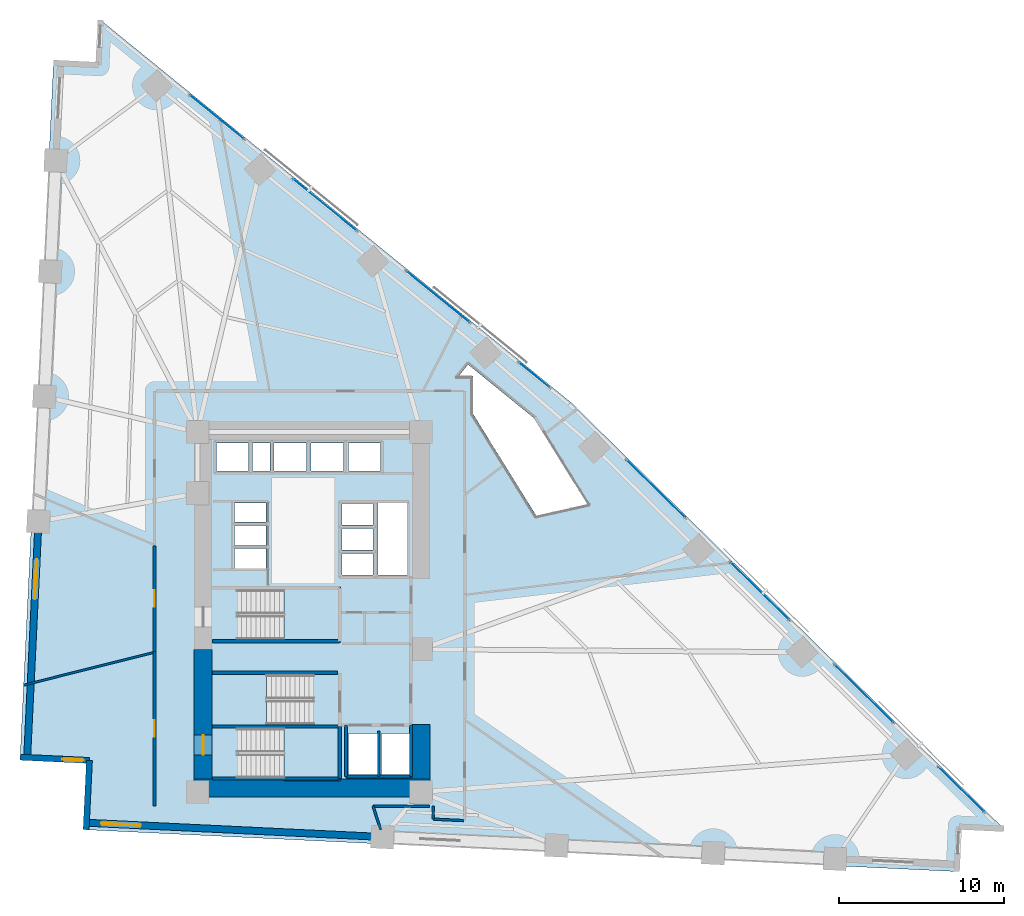
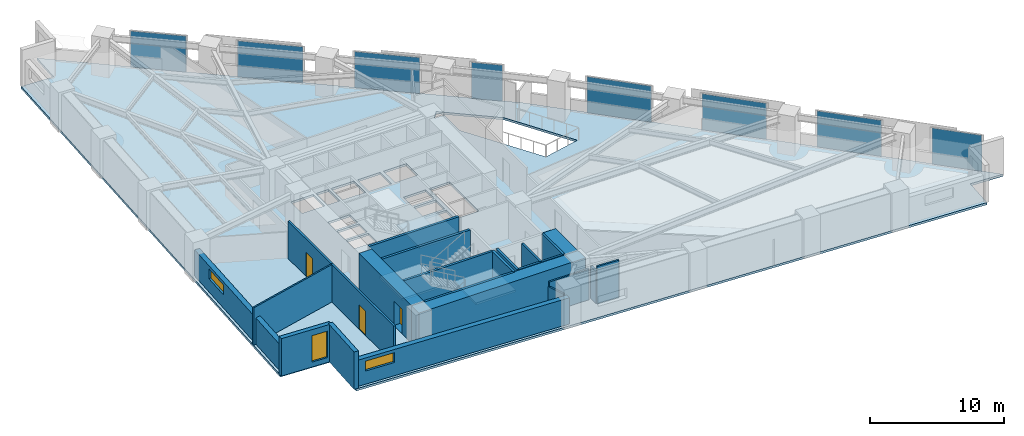
# One storey, part 12 of 17: 23 walls, 8 plates, 4 slabs, 3 doors, 3 windows, 6 openings, 11 elements without a shape of their own.
"""IFC4 building model written with IfcOpenShell, lengths in metres."""

from ifc_helpers import new_model, si_unit, direction, frame, frame_2d, origin, origin_2d, place, context, subcontext, project, spatial, polyline, rectangle, outline, extrude, material, layer, layer_set, type_object, element, fill, aggregate, save


model = new_model("IFC4")

# Units and contexts
model_context = context("Model", 3, precision=1e-05, world=origin(), true_north=direction((0.0, 1.0)))
body_context = subcontext(model_context, "Body", "Model", "MODEL_VIEW")
ifc_project = project(units=[si_unit("LENGTHUNIT", "METRE"), si_unit("AREAUNIT", "SQUARE_METRE"), si_unit("VOLUMEUNIT", "CUBIC_METRE"), si_unit("PLANEANGLEUNIT", "RADIAN"), si_unit("MASSUNIT", "GRAM", prefix="KILO")], contexts=[model_context])

# Site, building, storey
site_placement = place(None, origin())
site = spatial("IfcSite", under=ifc_project, at=site_placement, CompositionType="ELEMENT")
building_placement = place(site_placement, origin())
building = spatial("IfcBuilding", under=site, at=building_placement, Name="Narakoshi Arena Tower", CompositionType="ELEMENT")
storey_placement = place(building_placement, frame((0.0, 0.0, 30.300048828125)))
storey = spatial("IfcBuildingStorey", under=building, at=storey_placement, Name="L07", CompositionType="ELEMENT", Elevation=30.300048828125)

# Curtain wall, plate
ifc_material_1 = material(Name="Anodised bronze aluminium 6063-T6", Category="aluminium")
curtain_wall_type = type_object("IfcCurtainWallType", Name="CW-HYP-LOW", PredefinedType="NOTDEFINED", material=ifc_material_1)
curtain_wall_1_placement = place(storey_placement, origin())
curtain_wall_1 = element("IfcCurtainWall", 1, at=curtain_wall_1_placement, inside=storey, type_object=curtain_wall_type, Name="L07 Folded Hypotenuse Curtain Wall 1-1", PredefinedType="NOTDEFINED")
ifc_material_2 = material(Name="Bronze-tinted low-E laminated glass", Category="glass")
ifc_layer_1 = layer(ifc_material_2, 0.031982421875)
ifc_layer_set_1 = layer_set([ifc_layer_1], Name="Bronze-tinted low-E laminated glass")
plate_type = type_object("IfcPlateType", Name="PLT-GLZ-32", PredefinedType="CURTAIN_PANEL", material=ifc_layer_set_1)
plate_1_placement = place(storey_placement, frame((118.277587890625, 34.8505859375, 0.06494140625), z_axis=(0.0, 0.0, 1.0), x_axis=(-0.712541277695, 0.701630192894, 0.0)))
plate_1 = element("IfcPlate", 2, at=plate_1_placement, type_object=plate_type, Name="CW-01 panel 1.1", PredefinedType="CURTAIN_PANEL", context=body_context, shape_type="SweptSolid", body=[
    extrude(rectangle(XDim=3.85498046875, YDim=0.031982421875, at=origin_2d()), origin(), (0.0, 0.0, 1.0), 3.27001953125),
])
aggregate(curtain_wall_1, [plate_1])

curtain_wall_2_placement = place(storey_placement, origin())
curtain_wall_2 = element("IfcCurtainWall", 3, at=curtain_wall_2_placement, inside=storey, type_object=curtain_wall_type, Name="L07 Folded Hypotenuse Curtain Wall 1-2", PredefinedType="NOTDEFINED")
plate_2_placement = place(storey_placement, frame((112.375, 40.66259765625, 0.06494140625), z_axis=(0.0, 0.0, 1.0), x_axis=(-0.712548329451, 0.701623031404, 0.0)))
plate_2 = element("IfcPlate", 4, at=plate_2_placement, type_object=plate_type, Name="CW-01 panel 1.1", PredefinedType="CURTAIN_PANEL", context=body_context, shape_type="SweptSolid", body=[
    extrude(rectangle(XDim=4.966552734375, YDim=0.031982421875, at=origin_2d()), origin(), (0.0, 0.0, 1.0), 3.27001953125),
])
aggregate(curtain_wall_2, [plate_2])

curtain_wall_3_placement = place(storey_placement, origin())
curtain_wall_3 = element("IfcCurtainWall", 5, at=curtain_wall_3_placement, inside=storey, type_object=curtain_wall_type, Name="L07 Folded Hypotenuse Curtain Wall 1-3", PredefinedType="NOTDEFINED")
plate_3_placement = place(storey_placement, frame((106.07666015625, 46.864501953125, 0.06494140625), z_axis=(0.0, 0.0, 1.0), x_axis=(-0.712538708053, 0.701632802488, 0.0)))
plate_3 = element("IfcPlate", 6, at=plate_3_placement, type_object=plate_type, Name="CW-01 panel 1.1", PredefinedType="CURTAIN_PANEL", context=body_context, shape_type="SweptSolid", body=[
    extrude(rectangle(XDim=4.966552734375, YDim=0.031982421875, at=origin_2d()), origin(), (0.0, 0.0, 1.0), 3.27001953125),
])
aggregate(curtain_wall_3, [plate_3])

curtain_wall_4_placement = place(storey_placement, origin())
curtain_wall_4 = element("IfcCurtainWall", 7, at=curtain_wall_4_placement, inside=storey, type_object=curtain_wall_type, Name="L07 Folded Hypotenuse Curtain Wall 1-4", PredefinedType="NOTDEFINED")
plate_4_placement = place(storey_placement, frame((99.7783203125, 53.06640625, 0.06494140625), z_axis=(0.0, 0.0, 1.0), x_axis=(-0.712538708053, 0.701632802488, 0.0)))
plate_4 = element("IfcPlate", 8, at=plate_4_placement, type_object=plate_type, Name="CW-01 panel 1.1", PredefinedType="CURTAIN_PANEL", context=body_context, shape_type="SweptSolid", body=[
    extrude(rectangle(XDim=4.966552734375, YDim=0.031982421875, at=origin_2d()), origin(), (0.0, 0.0, 1.0), 3.27001953125),
])
aggregate(curtain_wall_4, [plate_4])

curtain_wall_5_placement = place(storey_placement, origin())
curtain_wall_5 = element("IfcCurtainWall", 9, at=curtain_wall_5_placement, inside=storey, type_object=curtain_wall_type, Name="L07 Folded Hypotenuse Curtain Wall 2-1", PredefinedType="NOTDEFINED")
plate_5_placement = place(storey_placement, frame((92.40087890625, 59.964111328125, 0.06494140625), z_axis=(0.0, 0.0, 1.0), x_axis=(-0.776007918256, 0.63072316495, 0.0)))
plate_5 = element("IfcPlate", 10, at=plate_5_placement, type_object=plate_type, Name="CW-01 panel 1.1", PredefinedType="CURTAIN_PANEL", context=body_context, shape_type="SweptSolid", body=[
    extrude(rectangle(XDim=2.35888671875, YDim=0.031982421875, at=origin_2d()), origin(), (0.0, 0.0, 1.0), 3.27001953125),
])
aggregate(curtain_wall_5, [plate_5])

curtain_wall_6_placement = place(storey_placement, origin())
curtain_wall_6 = element("IfcCurtainWall", 11, at=curtain_wall_6_placement, inside=storey, type_object=curtain_wall_type, Name="L07 Folded Hypotenuse Curtain Wall 2-2", PredefinedType="NOTDEFINED")
plate_6_placement = place(storey_placement, frame((86.566650390625, 64.7060546875, 0.06494140625), z_axis=(0.0, 0.0, 1.0), x_axis=(-0.775998434519, 0.630734833051, 0.0)))
plate_6 = element("IfcPlate", 12, at=plate_6_placement, type_object=plate_type, Name="CW-01 panel 1.1", PredefinedType="CURTAIN_PANEL", context=body_context, shape_type="SweptSolid", body=[
    extrude(rectangle(XDim=4.932373046875, YDim=0.031982421875, at=origin_2d()), origin(), (0.0, 0.0, 1.0), 3.27001953125),
])
aggregate(curtain_wall_6, [plate_6])

curtain_wall_7_placement = place(storey_placement, origin())
curtain_wall_7 = element("IfcCurtainWall", 13, at=curtain_wall_7_placement, inside=storey, type_object=curtain_wall_type, Name="L07 Folded Hypotenuse Curtain Wall 2-3", PredefinedType="NOTDEFINED")
plate_7_placement = place(storey_placement, frame((79.73388671875, 70.259765625, 0.06494140625), z_axis=(0.0, 0.0, 1.0), x_axis=(-0.776008064665, 0.630722984816, 0.0)))
plate_7 = element("IfcPlate", 14, at=plate_7_placement, type_object=plate_type, Name="CW-01 panel 1.1", PredefinedType="CURTAIN_PANEL", context=body_context, shape_type="SweptSolid", body=[
    extrude(rectangle(XDim=4.932373046875, YDim=0.031982421875, at=origin_2d()), origin(), (0.0, 0.0, 1.0), 3.27001953125),
])
aggregate(curtain_wall_7, [plate_7])

curtain_wall_8_placement = place(storey_placement, origin())
curtain_wall_8 = element("IfcCurtainWall", 15, at=curtain_wall_8_placement, inside=storey, type_object=curtain_wall_type, Name="L07 Folded Hypotenuse Curtain Wall 2-4", PredefinedType="NOTDEFINED")
plate_8_placement = place(storey_placement, frame((73.18603515625, 75.58203125, 0.06494140625), z_axis=(0.0, 0.0, 1.0), x_axis=(-0.775999332044, 0.630733728817, 0.0)))
plate_8 = element("IfcPlate", 16, at=plate_8_placement, type_object=plate_type, Name="CW-01 panel 1.1", PredefinedType="CURTAIN_PANEL", context=body_context, shape_type="SweptSolid", body=[
    extrude(rectangle(XDim=4.198486328125, YDim=0.031982421875, at=origin_2d()), origin(), (0.0, 0.0, 1.0), 3.27001953125),
])
aggregate(curtain_wall_8, [plate_8])

# Stair, slab
ifc_material_3 = material(Name="Concrete C45/55", Category="concrete")
stair_type = type_object("IfcStairType", Name="STR-CORE-360", PredefinedType="TWO_STRAIGHT_RUN_STAIR", material=ifc_material_3)
stair_1_placement = place(storey_placement, origin())
stair_1 = element("IfcStair", 17, at=stair_1_placement, inside=storey, type_object=stair_type, Name="L07 Core Escape Stair ST1", PredefinedType="TWO_STRAIGHT_RUN_STAIR")
ifc_layer_2 = layer(ifc_material_3, 0.18994140625)
ifc_layer_set_2 = layer_set([ifc_layer_2], Name="Concrete C45/55")
slab_type_1 = type_object("IfcSlabType", Name="SLB-LND-190", PredefinedType="LANDING", material=ifc_layer_set_2)
slab_1_placement = place(storey_placement, frame((0.0, 0.0, 1.60986328125)))
slab_1 = element("IfcSlab", 18, at=slab_1_placement, type_object=slab_type_1, Name="ST1 landing 1", PredefinedType="LANDING", context=body_context, shape_type="SweptSolid", body=[
    extrude(outline(polyline([(77.25, 35.3701171875), (80.679931640625, 35.3701171875), (80.679931640625, 38.72998046875), (77.25, 38.72998046875), (77.25, 35.3701171875)])), origin(), (0.0, 0.0, 1.0), 0.190185546875),
])
aggregate(stair_1, [slab_1])

stair_2_placement = place(storey_placement, origin())
stair_2 = element("IfcStair", 19, at=stair_2_placement, inside=storey, type_object=stair_type, Name="L07 Core Escape Stair ST2", PredefinedType="TWO_STRAIGHT_RUN_STAIR")
slab_2_placement = place(storey_placement, frame((0.0, 0.0, 1.60986328125)))
slab_2 = element("IfcSlab", 20, at=slab_2_placement, type_object=slab_type_1, Name="ST2 landing 1", PredefinedType="LANDING", context=body_context, shape_type="SweptSolid", body=[
    extrude(outline(polyline([(72.77001953125, 38.6201171875), (76.199951171875, 38.6201171875), (76.199951171875, 41.97998046875), (72.77001953125, 41.97998046875), (72.77001953125, 38.6201171875)])), origin(), (0.0, 0.0, 1.0), 0.190185546875),
])
aggregate(stair_2, [slab_2])

stair_3_placement = place(storey_placement, origin())
stair_3 = element("IfcStair", 21, at=stair_3_placement, inside=storey, type_object=stair_type, Name="L07 Core Escape Stair ST3", PredefinedType="TWO_STRAIGHT_RUN_STAIR")
slab_3_placement = place(storey_placement, frame((0.0, 0.0, 1.60986328125)))
slab_3 = element("IfcSlab", 22, at=slab_3_placement, type_object=slab_type_1, Name="ST3 landing 1", PredefinedType="LANDING", context=body_context, shape_type="SweptSolid", body=[
    extrude(outline(polyline([(77.25, 43.77001953125), (80.679931640625, 43.77001953125), (80.679931640625, 47.1298828125), (77.25, 47.1298828125), (77.25, 43.77001953125)])), origin(), (0.0, 0.0, 1.0), 0.190185546875),
])
aggregate(stair_3, [slab_3])

# Slab
ifc_layer_3 = layer(ifc_material_3, 0.199951171875)
ifc_layer_set_3 = layer_set([ifc_layer_3], Name="Concrete C45/55")
slab_type_2 = type_object("IfcSlabType", Name="SLB-TWR-200", PredefinedType="FLOOR", material=ifc_layer_set_3)
slab_4_placement = place(storey_placement, frame((0.0, 0.0, -0.199951171875)))
element("IfcSlab", 23, at=slab_4_placement, inside=storey, type_object=slab_type_2, Name="L07 Structural Floor Slab", PredefinedType="FLOOR", context=body_context, shape_type="SweptSolid", body=[
    extrude(outline(polyline([(65.26025390625, 32.416015625), (117.99951171875, 29.8828125), (118.130615234375, 32.609619140625), (120.857421875, 32.478515625), (94.614013671875, 58.31982421875), (66.144287109375, 81.4599609375), (66.013427734375, 78.733154296875), (63.28662109375, 78.8642578125), (61.2666015625, 36.8125), (65.4619140625, 36.611083984375), (65.26025390625, 32.416015625)]), holes=[polyline([(74.47998046875, 35.550048828125), (74.47998046875, 38.550048828125), (80.5, 38.550048828125), (80.5, 35.550048828125), (74.47998046875, 35.550048828125)]), polyline([(81.14990234375, 35.75), (81.14990234375, 38.25), (82.89990234375, 38.25), (82.89990234375, 35.75), (81.14990234375, 35.75)]), polyline([(83.14990234375, 35.75), (83.14990234375, 38.25), (84.89990234375, 38.25), (84.89990234375, 35.75), (83.14990234375, 35.75)]), polyline([(72.949951171875, 38.800048828125), (72.949951171875, 41.800048828125), (78.969970703125, 41.800048828125), (78.969970703125, 38.800048828125), (72.949951171875, 38.800048828125)]), polyline([(74.47998046875, 43.949951171875), (74.47998046875, 46.949951171875), (80.5, 46.949951171875), (80.5, 43.949951171875), (74.47998046875, 43.949951171875)]), polyline([(82.949951171875, 47.840087890625), (82.949951171875, 52.199951171875), (84.699951171875, 52.199951171875), (84.699951171875, 47.840087890625), (82.949951171875, 47.840087890625)]), polyline([(80.75, 47.85009765625), (80.75, 49.14990234375), (82.64990234375, 49.14990234375), (82.64990234375, 47.85009765625), (80.75, 47.85009765625)]), polyline([(74.25, 48.25), (74.25, 49.449951171875), (76.14990234375, 49.449951171875), (76.14990234375, 48.25), (74.25, 48.25)]), polyline([(80.75, 49.3701171875), (80.75, 50.669921875), (82.64990234375, 50.669921875), (82.64990234375, 49.3701171875), (80.75, 49.3701171875)]), polyline([(74.25, 49.64990234375), (74.25, 50.85009765625), (76.14990234375, 50.85009765625), (76.14990234375, 49.64990234375), (74.25, 49.64990234375)]), polyline([(80.75, 50.889892578125), (80.75, 52.18994140625), (82.64990234375, 52.18994140625), (82.64990234375, 50.889892578125), (80.75, 50.889892578125)]), polyline([(74.25, 51.050048828125), (74.25, 52.2099609375), (76.14990234375, 52.2099609375), (76.14990234375, 51.050048828125), (74.25, 51.050048828125)]), polyline([(95.6357421875, 52.126708984375), (92.53662109375, 51.4306640625), (88.699951171875, 57.60693359375), (88.699951171875, 59.89990234375), (87.83251953125, 59.89990234375), (88.399169921875, 60.600830078125), (92.3837890625, 57.3623046875), (95.6357421875, 52.126708984375)]), polyline([(73.14990234375, 54.14990234375), (73.14990234375, 55.85009765625), (75.10009765625, 55.85009765625), (75.10009765625, 54.14990234375), (73.14990234375, 54.14990234375)]), polyline([(75.35009765625, 55.85009765625), (76.39990234375, 55.85009765625), (76.39990234375, 54.14990234375), (75.35009765625, 54.14990234375), (75.35009765625, 55.85009765625)]), polyline([(76.64990234375, 55.85009765625), (78.60009765625, 55.85009765625), (78.60009765625, 54.14990234375), (76.64990234375, 54.14990234375), (76.64990234375, 55.85009765625)]), polyline([(78.89990234375, 54.14990234375), (78.89990234375, 55.85009765625), (80.85009765625, 55.85009765625), (80.85009765625, 54.14990234375), (78.89990234375, 54.14990234375)]), polyline([(81.14990234375, 55.85009765625), (83.10009765625, 55.85009765625), (83.10009765625, 54.14990234375), (81.14990234375, 54.14990234375), (81.14990234375, 55.85009765625)])]), origin(), (0.0, 0.0, 1.0), 0.199951171875),
])

# Wall, opening, door
ifc_material_4 = material(Name="Concrete C60/75", Category="concrete")
ifc_layer_4 = layer(ifc_material_4, 1.10009765625)
ifc_layer_set_4 = layer_set([ifc_layer_4], Name="Concrete C60/75")
wall_type_1 = type_object("IfcWallType", Name="WL-CORE-1100", PredefinedType="SHEAR", material=ifc_layer_set_4)
wall_1_placement = place(storey_placement, frame((72.35009765625, 35.5, -0.199951171875), z_axis=(0.0, 0.0, 1.0), x_axis=(0.0, 1.0, 0.0)))
wall_1 = element("IfcWall", 24, at=wall_1_placement, inside=storey, type_object=wall_type_1, Name="L07 Central Core Shear Wall CW-APX-W", PredefinedType="SHEAR", context=body_context, shape_type="SweptSolid", body=[
    extrude(rectangle(XDim=7.85009765625, YDim=1.10009765625, at=frame_2d((3.925048828125, 0.0))), origin(), (0.0, 0.0, 1.0), 3.599853515625),
])
opening_1_placement = place(wall_1_placement, frame((1.449951171875, 0.0, 0.199951171875)))
opening_1 = element("IfcOpeningElement", 25, at=opening_1_placement, cuts=wall_1, Name="Opening D-03", PredefinedType="OPENING", context=body_context, shape_type="SweptSolid", body=[
    extrude(rectangle(XDim=1.199951171875, YDim=2.199951171875, at=frame_2d((0.60009765625, 1.10009765625))), frame((0.0, 0.56005859375, 0.0), z_axis=(0.0, -1.0, 0.0), x_axis=(1.0, 0.0, 0.0)), (0.0, 0.0, 1.0), 1.1201171875),
])
ifc_material_5 = material(Name="Painted galvanized steel", Category="steel")
door_type_1 = type_object("IfcDoorType", Name="DR-STR-1200", OperationType="NOTDEFINED", PredefinedType="USERDEFINED", material=ifc_material_5)
door_1_placement = place(opening_1_placement, frame((1.199951171875, 0.0, 0.0), z_axis=(0.0, 0.0, 1.0), x_axis=(-1.0, 0.0, 0.0)))
door_1 = element("IfcDoor", 26, at=door_1_placement, inside=storey, type_object=door_type_1, Name="DR-L07-001", ObjectType="EXITDOOR", OperationType="SINGLE_SWING_LEFT", OverallHeight=2.199951171875, OverallWidth=1.199951171875, PredefinedType="USERDEFINED", context=body_context, shape_type="SweptSolid", body=[
    extrude(rectangle(XDim=1.199951171875, YDim=2.199951171875, at=frame_2d((0.60009765625, 1.10009765625))), frame((0.0, 0.02490234375, 0.0), z_axis=(0.0, -1.0, 0.0), x_axis=(1.0, 0.0, 0.0)), (0.0, 0.0, 1.0), 0.050048828125),
])
fill(opening_1, door_1)

# Walls
wall_2_placement = place(storey_placement, frame((71.800048828125, 34.949951171875, -0.199951171875), z_axis=(0.0, 0.0, 1.0), x_axis=(1.0, 0.0, 0.0)))
element("IfcWall", 27, at=wall_2_placement, inside=storey, type_object=wall_type_1, Name="L07 Central Core Shear Wall CW-APX-S", PredefinedType="SHEAR", context=body_context, shape_type="SweptSolid", body=[
    extrude(rectangle(XDim=14.300048828125, YDim=1.10009765625, at=frame_2d((7.14990234375, 0.0))), origin(), (0.0, 0.0, 1.0), 3.599853515625),
])
wall_3_placement = place(storey_placement, frame((85.550048828125, 35.5, -0.199951171875), z_axis=(0.0, 0.0, 1.0), x_axis=(0.0, 1.0, 0.0)))
element("IfcWall", 28, at=wall_3_placement, inside=storey, type_object=wall_type_1, Name="L07 Central Core Shear Wall CW-APX-E", PredefinedType="SHEAR", context=body_context, shape_type="SweptSolid", body=[
    extrude(rectangle(XDim=3.300048828125, YDim=1.10009765625, at=frame_2d((1.64990234375, 0.0))), origin(), (0.0, 0.0, 1.0), 3.599853515625),
])

# Wall, opening, door
ifc_material_6 = material(Name="Gypsum plasterboard fire-rated partition")
ifc_layer_5 = layer(ifc_material_6, 0.1650390625)
ifc_layer_set_5 = layer_set([ifc_layer_5], Name="Gypsum plasterboard fire-rated partition")
wall_type_2 = type_object("IfcWallType", Name="WL-CORR-165", PredefinedType="PARTITIONING", material=ifc_layer_set_5)
wall_4_placement = place(storey_placement, frame((69.402587890625, 43.200927734375, 0.0), z_axis=(0.0, 0.0, 1.0), x_axis=(0.0, -1.0, 0.0)))
wall_4 = element("IfcWall", 29, at=wall_4_placement, inside=storey, type_object=wall_type_2, Name="L07 Corridor Partition 01-1", PredefinedType="PARTITIONING", context=body_context, shape_type="SweptSolid", body=[
    extrude(rectangle(XDim=9.33203125, YDim=0.1650390625, at=frame_2d((4.666015625, 0.0))), origin(), (0.0, 0.0, 1.0), 3.39990234375),
])
opening_2_placement = place(wall_4_placement, frame((4.166015625, 0.0, 0.0)))
opening_2 = element("IfcOpeningElement", 30, at=opening_2_placement, cuts=wall_4, Name="Opening D-06", PredefinedType="OPENING", context=body_context, shape_type="SweptSolid", body=[
    extrude(rectangle(XDim=1.0, YDim=2.199951171875, at=frame_2d((0.5, 1.10009765625))), frame((0.0, 0.092529296875, 0.0), z_axis=(0.0, -1.0, 0.0), x_axis=(1.0, 0.0, 0.0)), (0.0, 0.0, 1.0), 0.18505859375),
])
ifc_material_7 = material(Name="Stained oak solid-core timber", Category="wood")
door_type_2 = type_object("IfcDoorType", Name="DR-OFF-1000", OperationType="NOTDEFINED", PredefinedType="DOOR", material=ifc_material_7)
door_2_placement = place(opening_2_placement, frame((1.0, 0.0, 0.0), z_axis=(0.0, 0.0, 1.0), x_axis=(-1.0, 0.0, 0.0)))
door_2 = element("IfcDoor", 31, at=door_2_placement, inside=storey, type_object=door_type_2, Name="DR-L07-014", OperationType="SINGLE_SWING_LEFT", OverallHeight=2.199951171875, OverallWidth=1.0, PredefinedType="DOOR", context=body_context, shape_type="SweptSolid", body=[
    extrude(rectangle(XDim=1.0, YDim=2.199951171875, at=frame_2d((0.5, 1.10009765625))), frame((0.0, 0.02490234375, 0.0), z_axis=(0.0, -1.0, 0.0), x_axis=(1.0, 0.0, 0.0)), (0.0, 0.0, 1.0), 0.050048828125),
])
fill(opening_2, door_2)

wall_5_placement = place(storey_placement, frame((69.402587890625, 49.60498046875, 0.0), z_axis=(0.0, 0.0, 1.0), x_axis=(0.0, -1.0, 0.0)))
wall_5 = element("IfcWall", 32, at=wall_5_placement, inside=storey, type_object=wall_type_2, Name="L07 Corridor Partition 08-1", PredefinedType="PARTITIONING", context=body_context, shape_type="SweptSolid", body=[
    extrude(rectangle(XDim=6.37939453125, YDim=0.1650390625, at=frame_2d((3.189697265625, 0.0))), origin(), (0.0, 0.0, 1.0), 3.39990234375),
])
opening_3_placement = place(wall_5_placement, frame((2.689697265625, 0.0, 0.0)))
opening_3 = element("IfcOpeningElement", 33, at=opening_3_placement, cuts=wall_5, Name="Opening D-06", PredefinedType="OPENING", context=body_context, shape_type="SweptSolid", body=[
    extrude(rectangle(XDim=1.0, YDim=2.199951171875, at=frame_2d((0.5, 1.10009765625))), frame((0.0, 0.092529296875, 0.0), z_axis=(0.0, -1.0, 0.0), x_axis=(1.0, 0.0, 0.0)), (0.0, 0.0, 1.0), 0.18505859375),
])
door_3_placement = place(opening_3_placement, frame((1.0, 0.0, 0.0), z_axis=(0.0, 0.0, 1.0), x_axis=(-1.0, 0.0, 0.0)))
door_3 = element("IfcDoor", 34, at=door_3_placement, inside=storey, type_object=door_type_2, Name="DR-L07-021", OperationType="SINGLE_SWING_RIGHT", OverallHeight=2.199951171875, OverallWidth=1.0, PredefinedType="DOOR", context=body_context, shape_type="SweptSolid", body=[
    extrude(rectangle(XDim=1.0, YDim=2.199951171875, at=frame_2d((0.5, 1.10009765625))), frame((0.0, 0.02490234375, 0.0), z_axis=(0.0, -1.0, 0.0), x_axis=(1.0, 0.0, 0.0)), (0.0, 0.0, 1.0), 0.050048828125),
])
fill(opening_3, door_3)

# Wall
ifc_layer_6 = layer(ifc_material_6, 0.125)
ifc_layer_set_6 = layer_set([ifc_layer_6], Name="Gypsum plasterboard fire-rated partition")
wall_type_3 = type_object("IfcWallType", Name="WL-PART-125", PredefinedType="PARTITIONING", material=ifc_layer_set_6)
wall_6_placement = place(storey_placement, frame((61.476318359375, 41.177490234375, 0.0), z_axis=(0.0, 0.0, 1.0), x_axis=(0.970005385026, 0.243083428106, 0.0)))
element("IfcWall", 35, at=wall_6_placement, inside=storey, type_object=wall_type_3, Name="L07 Inter-Room Partition 01-08", PredefinedType="PARTITIONING", context=body_context, shape_type="SweptSolid", body=[
    extrude(rectangle(XDim=8.073974609375, YDim=0.125, at=frame_2d((4.037109375, 0.0))), origin(), (0.0, 0.0, 1.0), 3.39990234375),
])

# Wall, opening, window
ifc_material_8 = material(Name="Precast concrete C45/55", Category="concrete")
ifc_layer_7 = layer(ifc_material_8, 0.419921875)
ifc_layer_set_7 = layer_set([ifc_layer_7], Name="Precast concrete C45/55")
wall_type_4 = type_object("IfcWallType", Name="WL-POD-420", PredefinedType="SOLIDWALL", material=ifc_layer_set_7)
wall_7_placement = place(storey_placement, frame((65.28076171875, 32.840576171875, 0.0), z_axis=(0.0, 0.0, 1.0), x_axis=(0.998848298084, -0.047979968897, 0.0)))
wall_7 = element("IfcWall", 36, at=wall_7_placement, inside=storey, type_object=wall_type_4, Name="L07 Architectural Concrete Facade Wall LEGA-1", PredefinedType="SOLIDWALL", context=body_context, shape_type="SweptSolid", body=[
    extrude(rectangle(XDim=17.951904296875, YDim=0.419921875, at=frame_2d((8.97607421875, 0.0))), origin(), (0.0, 0.0, 1.0), 2.385009765625),
])
opening_4_placement = place(wall_7_placement, frame((0.89990234375, 0.0, 1.199951171875)))
opening_4 = element("IfcOpeningElement", 37, at=opening_4_placement, cuts=wall_7, Name="Opening WN-01", PredefinedType="OPENING", context=body_context, shape_type="SweptSolid", body=[
    extrude(rectangle(XDim=2.39990234375, YDim=0.89990234375, at=frame_2d((1.199951171875, 0.449951171875))), frame((0.0, 0.219970703125, 0.0), z_axis=(0.0, -1.0, 0.0), x_axis=(1.0, 0.0, 0.0)), (0.0, 0.0, 1.0), 0.43994140625),
])
window_type_1 = type_object("IfcWindowType", Name="WIN-SLT-24x09", PartitioningType="SINGLE_PANEL", PredefinedType="WINDOW", material=ifc_material_2)
window_1_placement = place(opening_4_placement, origin())
window_1 = element("IfcWindow", 38, at=window_1_placement, inside=storey, type_object=window_type_1, Name="L07 LEGA1 Horizontal Slot Window 1", OverallHeight=0.89990234375, OverallWidth=2.39990234375, PartitioningType="SINGLE_PANEL", PredefinedType="WINDOW", context=body_context, shape_type="SweptSolid", body=[
    extrude(rectangle(XDim=2.39990234375, YDim=0.89990234375, at=frame_2d((1.199951171875, 0.449951171875))), frame((0.0, 0.030029296875, 0.0), z_axis=(0.0, -1.0, 0.0), x_axis=(1.0, 0.0, 0.0)), (0.0, 0.0, 1.0), 0.06005859375),
])
fill(opening_4, window_1)

wall_8_placement = place(storey_placement, frame((62.3779296875, 51.08984375, 0.0), z_axis=(0.0, 0.0, 1.0), x_axis=(-0.047978424452, -0.99884837227, 0.0)))
wall_8 = element("IfcWall", 39, at=wall_8_placement, inside=storey, type_object=wall_type_4, Name="L07 Architectural Concrete Facade Wall LEGB-3", PredefinedType="SOLIDWALL", context=body_context, shape_type="SweptSolid", body=[
    extrude(rectangle(XDim=14.314208984375, YDim=0.419921875, at=frame_2d((7.1572265625, 0.0))), origin(), (0.0, 0.0, 1.0), 2.385009765625),
])
opening_5_placement = place(wall_8_placement, frame((2.300048828125, 0.0, 1.199951171875)))
opening_5 = element("IfcOpeningElement", 40, at=opening_5_placement, cuts=wall_8, Name="Opening WN-01", PredefinedType="OPENING", context=body_context, shape_type="SweptSolid", body=[
    extrude(rectangle(XDim=2.39990234375, YDim=0.89990234375, at=frame_2d((1.199951171875, 0.449951171875))), frame((0.0, 0.219970703125, 0.0), z_axis=(0.0, -1.0, 0.0), x_axis=(1.0, 0.0, 0.0)), (0.0, 0.0, 1.0), 0.43994140625),
])
window_2_placement = place(opening_5_placement, origin())
window_2 = element("IfcWindow", 41, at=window_2_placement, inside=storey, type_object=window_type_1, Name="L07 LEGB3 Horizontal Slot Window 1", OverallHeight=0.89990234375, OverallWidth=2.39990234375, PartitioningType="SINGLE_PANEL", PredefinedType="WINDOW", context=body_context, shape_type="SweptSolid", body=[
    extrude(rectangle(XDim=2.39990234375, YDim=0.89990234375, at=frame_2d((1.199951171875, 0.449951171875))), frame((0.0, 0.030029296875, 0.0), z_axis=(0.0, -1.0, 0.0), x_axis=(1.0, 0.0, 0.0)), (0.0, 0.0, 1.0), 0.06005859375),
])
fill(opening_5, window_2)

wall_9_placement = place(storey_placement, frame((61.2666015625, 36.8125, 0.0), z_axis=(0.0, 0.0, 1.0), x_axis=(0.998849519138, -0.047954542207, 0.0)))
wall_9 = element("IfcWall", 42, at=wall_9_placement, inside=storey, type_object=wall_type_4, Name="L07 Re-Entrant Corner Notch Wall NTA-1", PredefinedType="SOLIDWALL", context=body_context, shape_type="SweptSolid", body=[
    extrude(rectangle(XDim=4.2001953125, YDim=0.360107421875, at=frame_2d((2.10009765625, 0.0))), origin(), (0.0, 0.0, 1.0), 3.39990234375),
])
opening_6_placement = place(wall_9_placement, frame((2.559814453125, 0.0, 0.449951171875)))
opening_6 = element("IfcOpeningElement", 43, at=opening_6_placement, cuts=wall_9, Name="Opening WN-06", PredefinedType="OPENING", context=body_context, shape_type="SweptSolid", body=[
    extrude(rectangle(XDim=1.300048828125, YDim=2.39990234375, at=frame_2d((0.64990234375, 1.199951171875))), frame((0.0, 0.18994140625, 0.0), z_axis=(0.0, -1.0, 0.0), x_axis=(1.0, 0.0, 0.0)), (0.0, 0.0, 1.0), 0.380126953125),
])
window_type_2 = type_object("IfcWindowType", Name="WIN-NTC-16x24", PartitioningType="SINGLE_PANEL", PredefinedType="WINDOW", material=ifc_material_2)
window_3_placement = place(opening_6_placement, origin())
window_3 = element("IfcWindow", 44, at=window_3_placement, inside=storey, type_object=window_type_2, Name="L07 Corner Notch Window NTA", OverallHeight=2.39990234375, OverallWidth=1.300048828125, PartitioningType="SINGLE_PANEL", PredefinedType="WINDOW", context=body_context, shape_type="SweptSolid", body=[
    extrude(rectangle(XDim=1.300048828125, YDim=2.39990234375, at=frame_2d((0.64990234375, 1.199951171875))), frame((0.0, 0.030029296875, 0.0), z_axis=(0.0, -1.0, 0.0), x_axis=(1.0, 0.0, 0.0)), (0.0, 0.0, 1.0), 0.06005859375),
])
fill(opening_6, window_3)

# Walls
wall_10_placement = place(storey_placement, frame((65.4619140625, 36.611083984375, 0.0), z_axis=(0.0, 0.0, 1.0), x_axis=(-0.048015322758, -0.998846599224, 0.0)))
element("IfcWall", 45, at=wall_10_placement, inside=storey, type_object=wall_type_4, Name="L07 Re-Entrant Corner Notch Wall NTA-2", PredefinedType="SOLIDWALL", context=body_context, shape_type="SweptSolid", body=[
    extrude(rectangle(XDim=4.199951171875, YDim=0.360107421875, at=frame_2d((2.10009765625, 0.0))), origin(), (0.0, 0.0, 1.0), 3.39990234375),
])
ifc_material_9 = material(Name="Concrete C40/50", Category="concrete")
ifc_layer_8 = layer(ifc_material_9, 0.280029296875)
ifc_layer_set_8 = layer_set([ifc_layer_8], Name="Concrete C40/50")
wall_type_5 = type_object("IfcWallType", Name="WL-RISER-280", PredefinedType="PLUMBINGWALL", material=ifc_layer_set_8)
wall_11_placement = place(storey_placement, frame((83.0, 35.64990234375, 0.0), z_axis=(0.0, 0.0, 1.0), x_axis=(0.0, 1.0, 0.0)))
element("IfcWall", 46, at=wall_11_placement, inside=storey, type_object=wall_type_5, Name="L07 Core Wall FF-DIV", PredefinedType="PLUMBINGWALL", context=body_context, shape_type="SweptSolid", body=[
    extrude(rectangle(XDim=2.75, YDim=0.159912109375, at=frame_2d((1.375, 0.0))), origin(), (0.0, 0.0, 1.0), 3.39990234375),
])
ifc_material_10 = material(Name="Concrete C50/60", Category="concrete")
ifc_layer_9 = layer(ifc_material_10, 0.35009765625)
ifc_layer_set_9 = layer_set([ifc_layer_9], Name="Concrete C50/60")
wall_type_6 = type_object("IfcWallType", Name="WL-SHAFT-350", PredefinedType="SOLIDWALL", material=ifc_layer_set_9)
for number, where, z_axis, x_axis, name in (
    (47, (72.919921875, 35.52001953125, -0.199951171875), (0.0, 0.0, 1.0), (1.0, 0.0, 0.0), "L07 Core Wall ST1-S"),
    (48, (72.919921875, 38.675048828125, -0.199951171875), (0.0, 0.0, 1.0), (1.0, 0.0, 0.0), "L07 Core Wall ST12-DIV"),
):
    element("IfcWall", number, at=place(storey_placement, frame(where, z_axis=z_axis, x_axis=x_axis)), inside=storey, type_object=wall_type_6, Name=name, PredefinedType="SOLIDWALL", context=body_context, shape_type="SweptSolid", body=[
        extrude(rectangle(XDim=7.7001953125, YDim=0.199951171875, at=frame_2d((3.85009765625, 0.0))), origin(), (0.0, 0.0, 1.0), 3.599853515625),
    ])
wall_12_placement = place(storey_placement, frame((80.6201171875, 35.52001953125, -0.199951171875), z_axis=(0.0, 0.0, 1.0), x_axis=(0.0, 1.0, 0.0)))
element("IfcWall", 49, at=wall_12_placement, inside=storey, type_object=wall_type_6, Name="L07 Core Wall ST1-E", PredefinedType="SOLIDWALL", context=body_context, shape_type="SweptSolid", body=[
    extrude(rectangle(XDim=3.155029296875, YDim=0.199951171875, at=frame_2d((1.57763671875, 0.0))), origin(), (0.0, 0.0, 1.0), 3.599853515625),
])
for number, where, z_axis, x_axis, name in (
    (50, (84.949951171875, 35.64990234375, 0.0), (0.0, 0.0, 1.0), (0.0, 1.0, 0.0), "L07 Core Wall FF-E"),
    (51, (81.02001953125, 35.64990234375, 0.0), (0.0, 0.0, 1.0), (0.0, 1.0, 0.0), "L07 Core Wall FF-W"),
):
    element("IfcWall", number, at=place(storey_placement, frame(where, z_axis=z_axis, x_axis=x_axis)), inside=storey, type_object=wall_type_6, Name=name, PredefinedType="SOLIDWALL", context=body_context, shape_type="SweptSolid", body=[
        extrude(rectangle(XDim=3.10009765625, YDim=0.179931640625, at=frame_2d((1.550048828125, 0.0))), origin(), (0.0, 0.0, 1.0), 3.39990234375),
    ])
wall_13_placement = place(storey_placement, frame((81.02001953125, 35.64990234375, 0.0), z_axis=(0.0, 0.0, 1.0), x_axis=(1.0, 0.0, 0.0)))
element("IfcWall", 52, at=wall_13_placement, inside=storey, type_object=wall_type_6, Name="L07 Core Wall FF-S", PredefinedType="SOLIDWALL", context=body_context, shape_type="SweptSolid", body=[
    extrude(rectangle(XDim=3.929931640625, YDim=0.179931640625, at=frame_2d((1.96484375, 0.0))), origin(), (0.0, 0.0, 1.0), 3.39990234375),
])
wall_14_placement = place(storey_placement, frame((72.919921875, 41.919921875, -0.199951171875), z_axis=(0.0, 0.0, 1.0), x_axis=(1.0, 0.0, 0.0)))
element("IfcWall", 53, at=wall_14_placement, inside=storey, type_object=wall_type_6, Name="L07 Core Wall ST2-N", PredefinedType="SOLIDWALL", context=body_context, shape_type="SweptSolid", body=[
    extrude(rectangle(XDim=7.580078125, YDim=0.199951171875, at=frame_2d((3.7900390625, 0.0))), origin(), (0.0, 0.0, 1.0), 3.599853515625),
])
wall_15_placement = place(storey_placement, frame((72.919921875, 43.830078125, -0.199951171875), z_axis=(0.0, 0.0, 1.0), x_axis=(1.0, 0.0, 0.0)))
element("IfcWall", 54, at=wall_15_placement, inside=storey, type_object=wall_type_6, Name="L07 Core Wall ST3-S", PredefinedType="SOLIDWALL", context=body_context, shape_type="SweptSolid", body=[
    extrude(rectangle(XDim=7.7001953125, YDim=0.199951171875, at=frame_2d((3.85009765625, 0.0))), origin(), (0.0, 0.0, 1.0), 3.599853515625),
])
ifc_material_11 = material(Name="Moisture-resistant cement-board partition")
ifc_layer_10 = layer(ifc_material_11, 0.14501953125)
ifc_layer_set_10 = layer_set([ifc_layer_10], Name="Moisture-resistant cement-board partition")
wall_type_7 = type_object("IfcWallType", Name="WL-WET-145", PredefinedType="PARTITIONING", material=ifc_layer_set_10)
wall_16_placement = place(storey_placement, frame((86.300048828125, 33.057373046875, 0.0), z_axis=(0.0, 0.0, 1.0), x_axis=(0.998848706632, -0.047971462967, 0.0)))
element("IfcWall", 55, at=wall_16_placement, inside=storey, type_object=wall_type_7, Name="L07 Corridor Partition 02-2", PredefinedType="PARTITIONING", context=body_context, shape_type="SweptSolid", body=[
    extrude(rectangle(XDim=1.8271484375, YDim=0.14501953125, at=frame_2d((0.91357421875, 0.0))), origin(), (0.0, 0.0, 1.0), 3.39990234375),
])
wall_17_placement = place(storey_placement, frame((86.300048828125, 33.85009765625, 0.0), z_axis=(0.0, 0.0, 1.0), x_axis=(0.0, -1.0, 0.0)))
element("IfcWall", 56, at=wall_17_placement, inside=storey, type_object=wall_type_7, Name="L07 Corridor Partition 02-3", PredefinedType="PARTITIONING", context=body_context, shape_type="SweptSolid", body=[
    extrude(rectangle(XDim=0.792724609375, YDim=0.14501953125, at=frame_2d((0.396484375, 0.0))), origin(), (0.0, 0.0, 1.0), 2.93505859375),
])
wall_18_placement = place(storey_placement, frame((82.641845703125, 33.85009765625, 0.0), z_axis=(0.0, 0.0, 1.0), x_axis=(1.0, 0.0, 0.0)))
element("IfcWall", 57, at=wall_18_placement, inside=storey, type_object=wall_type_7, Name="L07 Room Enclosure Partition 02-1", PredefinedType="PARTITIONING", context=body_context, shape_type="SweptSolid", body=[
    extrude(rectangle(XDim=3.425537109375, YDim=0.14501953125, at=frame_2d((1.712890625, 0.0))), origin(), (0.0, 0.0, 1.0), 2.784912109375),
])
wall_19_placement = place(storey_placement, frame((83.109619140625, 32.41455078125, 0.0), z_axis=(0.0, 0.0, 1.0), x_axis=(-0.309817241665, 0.950796127867, 0.0)))
element("IfcWall", 58, at=wall_19_placement, inside=storey, type_object=wall_type_7, Name="L07 Room Enclosure Partition 02-2", PredefinedType="PARTITIONING", context=body_context, shape_type="SweptSolid", body=[
    extrude(rectangle(XDim=1.509765625, YDim=0.14501953125, at=frame_2d((0.7548828125, 0.0))), origin(), (0.0, 0.0, 1.0), 2.385009765625),
])

save(model, "model.ifc")
